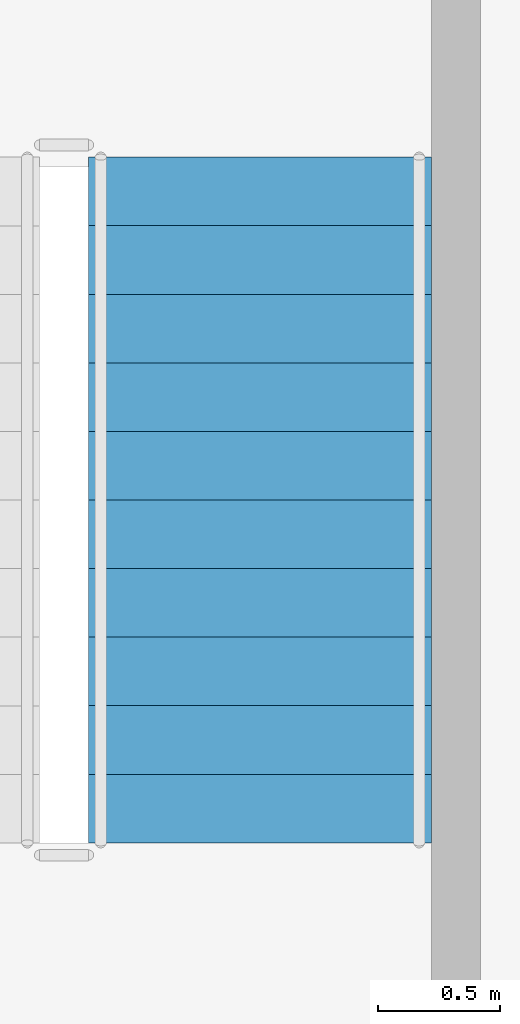
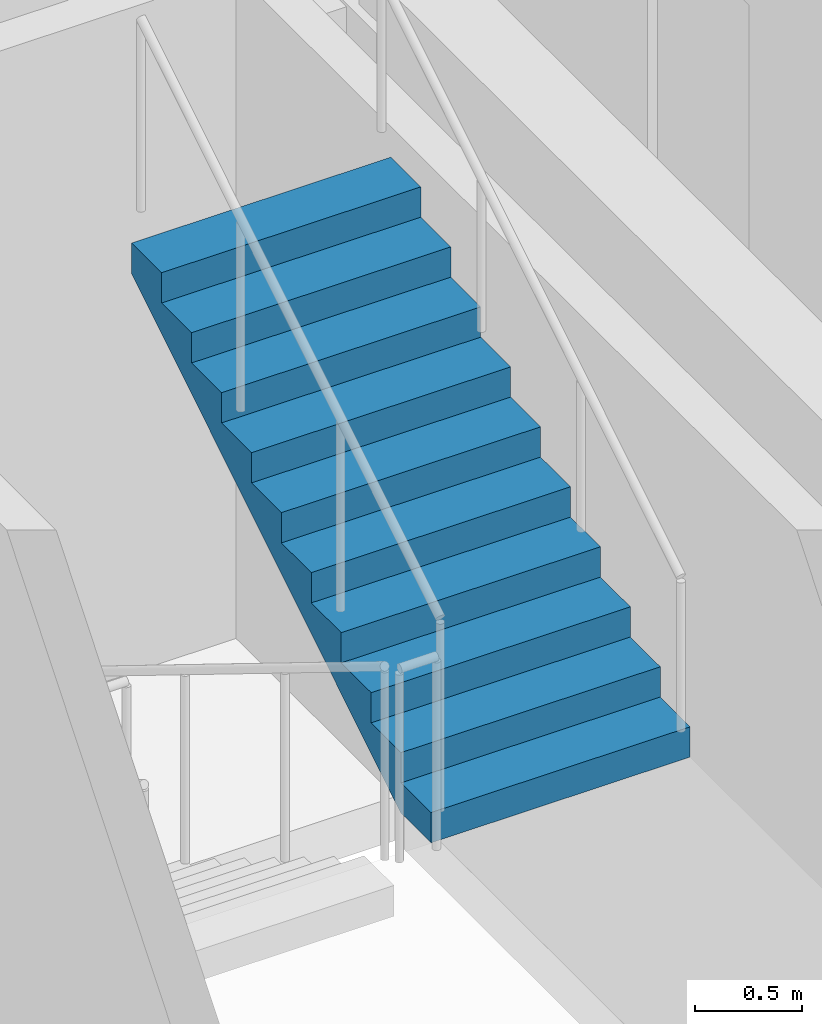
# One storey, part 17 of 18: 1 stair flight, 1 element without a shape of its own.
"""IFC4 building model written with IfcOpenShell, lengths in metres."""

from ifc_helpers import new_model, si_unit, direction, frame, origin, place, context, subcontext, project, spatial, polyline, outline, extrude, source, transform, mapped, material, type_object, element, aggregate, save


model = new_model("IFC4")

# Units and contexts
model_context = context("Model", 3, precision=1e-05, world=origin(), true_north=direction((0.0, 1.0)))
body_context = subcontext(model_context, "Body", "Model", "MODEL_VIEW")
ifc_project = project(units=[si_unit("LENGTHUNIT", "METRE"), si_unit("AREAUNIT", "SQUARE_METRE"), si_unit("VOLUMEUNIT", "CUBIC_METRE"), si_unit("PLANEANGLEUNIT", "RADIAN"), si_unit("MASSUNIT", "GRAM", prefix="KILO")], contexts=[model_context])

# Site, building, storey
site_placement = place(None, origin())
site = spatial("IfcSite", under=ifc_project, at=site_placement, CompositionType="ELEMENT")
building_placement = place(site_placement, origin())
building = spatial("IfcBuilding", under=site, at=building_placement, Name="Nefas-Gora Pilgrimage Tower", CompositionType="ELEMENT")
storey_placement = place(building_placement, frame((0.0, 0.0, 326.199951171875)))
storey = spatial("IfcBuildingStorey", under=building, at=storey_placement, Name="L82", CompositionType="ELEMENT", Elevation=326.199951171875)

# Stair, stair flight
ifc_material = material(Name="Concrete C45/55", Category="concrete")
stair_type = type_object("IfcStairType", Name="STR-1400-R1727", PredefinedType="HALF_TURN_STAIR", material=ifc_material)
stair_placement = place(storey_placement, origin())
stair = element("IfcStair", 1, at=stair_placement, inside=storey, type_object=stair_type, Name="L82 Pressurised Tower Exit Stair ST-02", PredefinedType="HALF_TURN_STAIR")
stair_flight_type = type_object("IfcStairFlightType", Name="STF-1400-R1727", PredefinedType="STRAIGHT", material=ifc_material)
shared_shape = source(origin(), body_context, "Body", "SweptSolid", [
    extrude(outline(polyline([(0.0, 0.0), (0.0, 0.172607421875), (0.280029296875, 0.172607421875), (0.280029296875, 0.345458984375), (0.56005859375, 0.345458984375), (0.56005859375, 0.51806640625), (0.840087890625, 0.51806640625), (0.840087890625, 0.69091796875), (1.1201171875, 0.69091796875), (1.1201171875, 0.863525390625), (1.39990234375, 0.863525390625), (1.39990234375, 1.036376953125), (1.679931640625, 1.036376953125), (1.679931640625, 1.208984375), (1.9599609375, 1.208984375), (1.9599609375, 1.3818359375), (2.239990234375, 1.3818359375), (2.239990234375, 1.554443359375), (2.52001953125, 1.554443359375), (2.52001953125, 1.727294921875), (2.800048828125, 1.727294921875), (2.800048828125, 1.89990234375), (2.800048828125, 1.551025390625), (0.285400390625, 0.0), (0.0, 0.0)])), frame((0.0, 0.699951171875, 0.0), z_axis=(0.0, -1.0, 0.0), x_axis=(1.0, 0.0, 0.0)), (0.0, 0.0, 1.0), 1.39990234375),
])
stair_flight_placement = place(storey_placement, frame((9.800048828125, -5.39990234375, 1.900146484375), z_axis=(0.0, 0.0, 1.0), x_axis=(0.0, 1.0, 0.0)))
stair_flight = element("IfcStairFlight", 2, at=stair_flight_placement, type_object=stair_flight_type, Name="ST-02 flight 2", NumberOfRisers=11, NumberOfTreads=10, PredefinedType="STRAIGHT", RiserHeight=0.172727273, TreadLength=0.28, context=body_context, shape_type="MappedRepresentation", body=[
    mapped(shared_shape, transform((0.0, 0.0, 0.0), x_axis=(1.0, 0.0, 0.0), y_axis=(0.0, 1.0, 0.0), z_axis=(0.0, 0.0, 1.0), scale=1.0)),
])
aggregate(stair, [stair_flight])

save(model, "model.ifc")
